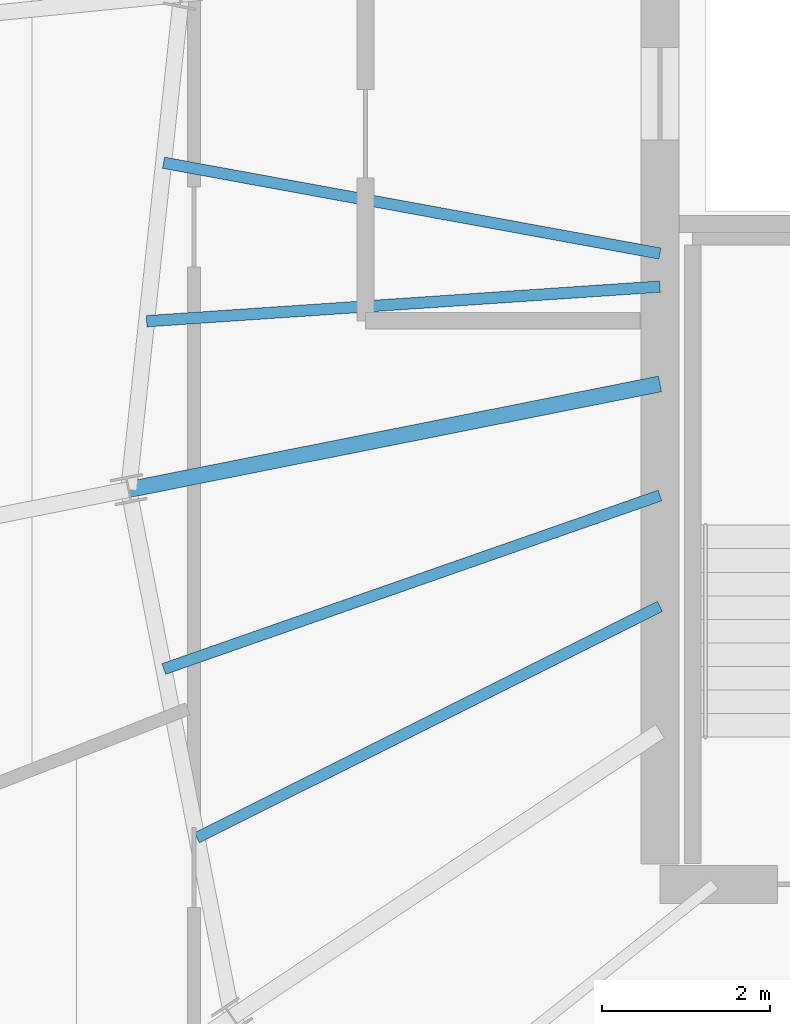
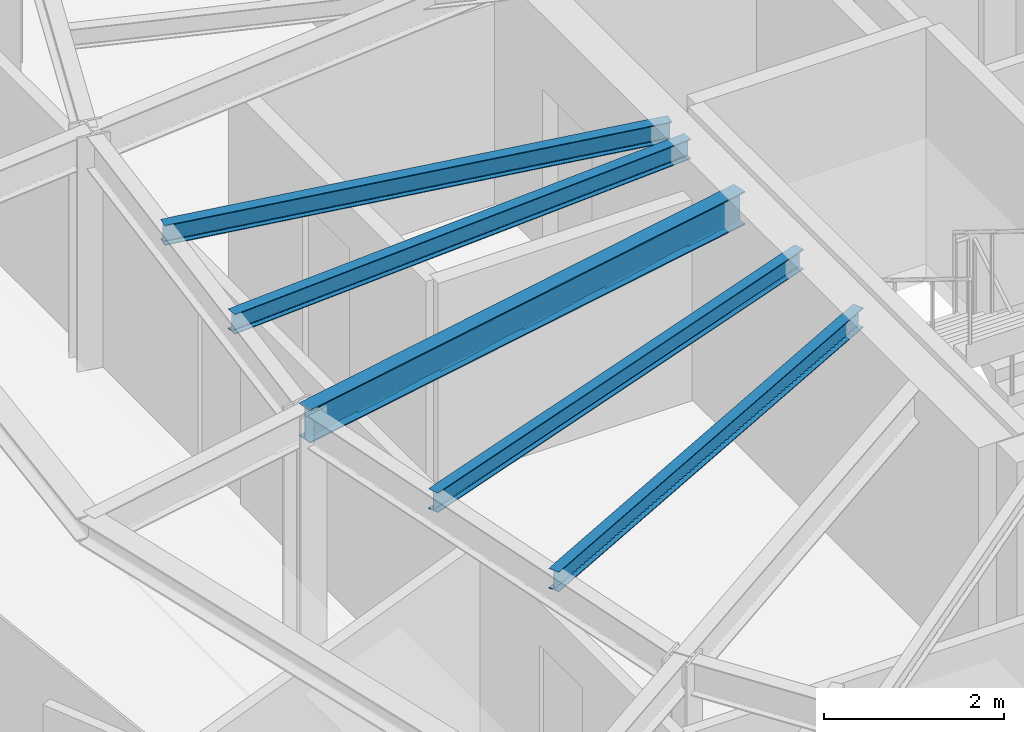
# One storey, part 10 of 34: 5 beams.
"""IFC4 building model written with IfcOpenShell, lengths in metres."""

from ifc_helpers import new_model, si_unit, direction, frame, origin, origin_2d, place, context, subcontext, project, spatial, i_section, extrude, source, transform, mapped, material, material_profile, profile_set, type_object, element, save


model = new_model("IFC4")

# Units and contexts
model_context = context("Model", 3, precision=1e-05, world=origin(), true_north=direction((0.0, 1.0)))
body_context = subcontext(model_context, "Body", "Model", "MODEL_VIEW")
ifc_project = project(units=[si_unit("LENGTHUNIT", "METRE"), si_unit("AREAUNIT", "SQUARE_METRE"), si_unit("VOLUMEUNIT", "CUBIC_METRE"), si_unit("PLANEANGLEUNIT", "RADIAN"), si_unit("MASSUNIT", "GRAM", prefix="KILO"), si_unit("THERMODYNAMICTEMPERATUREUNIT", "KELVIN")], contexts=[model_context])

# Site, building, storey
site_placement = place(None, origin())
site = spatial("IfcSite", under=ifc_project, at=site_placement, CompositionType="ELEMENT")
building_placement = place(site_placement, origin())
building = spatial("IfcBuilding", under=site, at=building_placement, Name="Kethvar Cultural Tower", CompositionType="ELEMENT")
storey_placement = place(building_placement, frame((0.0, 0.0, 259.449951171875)))
storey = spatial("IfcBuildingStorey", under=building, at=storey_placement, Name="L68", CompositionType="ELEMENT", Elevation=259.449951171875)

# Beams
ifc_material = material(Name="Steel S355J2", Category="steel")
ifc_material_profile_1 = material_profile(ifc_material, i_section(OverallWidth=0.18994140625, OverallDepth=0.449951171875, WebThickness=0.009521484375, FlangeThickness=0.0146484375, FilletRadius=0.02099609375, at=origin_2d()), Name="Steel S355J2 — IPE450")
ifc_profile_set_1 = profile_set([ifc_material_profile_1], Name="Steel S355J2 — IPE450")
beam_type_1 = type_object("IfcBeamType", Name="BM-IPE450", PredefinedType="BEAM", material=ifc_profile_set_1)
shared_shape_1 = source(origin(), body_context, "Body", "SweptSolid", [
    extrude(i_section(OverallWidth=0.18994140625, OverallDepth=0.449951171875, WebThickness=0.009521484375, FlangeThickness=0.0146484375, FilletRadius=0.02099609375, at=origin_2d()), origin(), (0.0, 0.0, 1.0), 6.440673828125),
])
beam_1_placement = place(storey_placement, frame((38.0, 26.049560546875, 2.983154296875), z_axis=(-0.980782804096, -0.195102770839, 0.0), x_axis=(0.195102770839, -0.980782804096, 0.0)))
element("IfcBeam", 1, at=beam_1_placement, inside=storey, type_object=beam_type_1, Name="L68 Primary Radial Beam RB-09", PredefinedType="BEAM", context=body_context, shape_type="MappedRepresentation", body=[
    mapped(shared_shape_1, transform((0.0, 0.0, 0.0), scale=1.0)),
])
ifc_material_profile_2 = material_profile(ifc_material, i_section(OverallWidth=0.135009765625, OverallDepth=0.27001953125, WebThickness=0.006591796875, FlangeThickness=0.01025390625, FilletRadius=0.014892578125, at=origin_2d()), Name="Steel S355J2 — IPE270")
ifc_profile_set_2 = profile_set([ifc_material_profile_2], Name="Steel S355J2 — IPE270")
beam_type_2 = type_object("IfcBeamType", Name="BM-J270", PredefinedType="JOIST", material=ifc_profile_set_2)
shared_shape_2 = source(origin(), body_context, "Body", "SweptSolid", [
    extrude(i_section(OverallWidth=0.135009765625, OverallDepth=0.27001953125, WebThickness=0.006591796875, FlangeThickness=0.01025390625, FilletRadius=0.014892578125, at=origin_2d()), origin(), (0.0, 0.0, 1.0), 5.99951171875),
])
beam_2_placement = place(storey_placement, frame((38.0, 27.60009765625, 3.072998046875), z_axis=(-0.983676616141, 0.179945310742, 0.0), x_axis=(-0.179945310742, -0.983676616141, 0.0)))
element("IfcBeam", 2, at=beam_2_placement, inside=storey, type_object=beam_type_2, Name="L68 Composite Floor Joist J-08A", PredefinedType="JOIST", context=body_context, shape_type="MappedRepresentation", body=[
    mapped(shared_shape_2, transform((0.0, 0.0, 0.0), scale=1.0)),
])
shared_shape_3 = source(origin(), body_context, "Body", "SweptSolid", [
    extrude(i_section(OverallWidth=0.135009765625, OverallDepth=0.27001953125, WebThickness=0.006591796875, FlangeThickness=0.01025390625, FilletRadius=0.014892578125, at=origin_2d()), origin(), (0.0, 0.0, 1.0), 6.116943359375),
])
beam_3_placement = place(storey_placement, frame((38.0, 27.206787109375, 3.072998046875), z_axis=(-0.997733289627, -0.067292516454, 0.0), x_axis=(0.067292516454, -0.997733289627, 0.0)))
element("IfcBeam", 3, at=beam_3_placement, inside=storey, type_object=beam_type_2, Name="L68 Composite Floor Joist J-08B", PredefinedType="JOIST", context=body_context, shape_type="MappedRepresentation", body=[
    mapped(shared_shape_3, transform((0.0, 0.0, 0.0), scale=1.0)),
])
shared_shape_4 = source(origin(), body_context, "Body", "SweptSolid", [
    extrude(i_section(OverallWidth=0.135009765625, OverallDepth=0.27001953125, WebThickness=0.006591796875, FlangeThickness=0.01025390625, FilletRadius=0.014892578125, at=origin_2d()), origin(), (0.0, 0.0, 1.0), 6.248779296875),
])
beam_4_placement = place(storey_placement, frame((38.0, 24.722900390625, 3.072998046875), z_axis=(-0.943960031743, -0.330059780148, 0.0), x_axis=(0.330059780148, -0.943960031743, 0.0)))
element("IfcBeam", 4, at=beam_4_placement, inside=storey, type_object=beam_type_2, Name="L68 Composite Floor Joist J-09A", PredefinedType="JOIST", context=body_context, shape_type="MappedRepresentation", body=[
    mapped(shared_shape_4, transform((0.0, 0.0, 0.0), scale=1.0)),
])
shared_shape_5 = source(origin(), body_context, "Body", "SweptSolid", [
    extrude(i_section(OverallWidth=0.135009765625, OverallDepth=0.27001953125, WebThickness=0.006591796875, FlangeThickness=0.01025390625, FilletRadius=0.014892578125, at=origin_2d()), origin(), (0.0, 0.0, 1.0), 6.154052734375),
])
beam_5_placement = place(storey_placement, frame((38.0, 23.40380859375, 3.072998046875), z_axis=(-0.89458581954, -0.446896197655, 0.0), x_axis=(0.446896197655, -0.89458581954, 0.0)))
element("IfcBeam", 5, at=beam_5_placement, inside=storey, type_object=beam_type_2, Name="L68 Composite Floor Joist J-09B", PredefinedType="JOIST", context=body_context, shape_type="MappedRepresentation", body=[
    mapped(shared_shape_5, transform((0.0, 0.0, 0.0), scale=1.0)),
])

save(model, "model.ifc")
